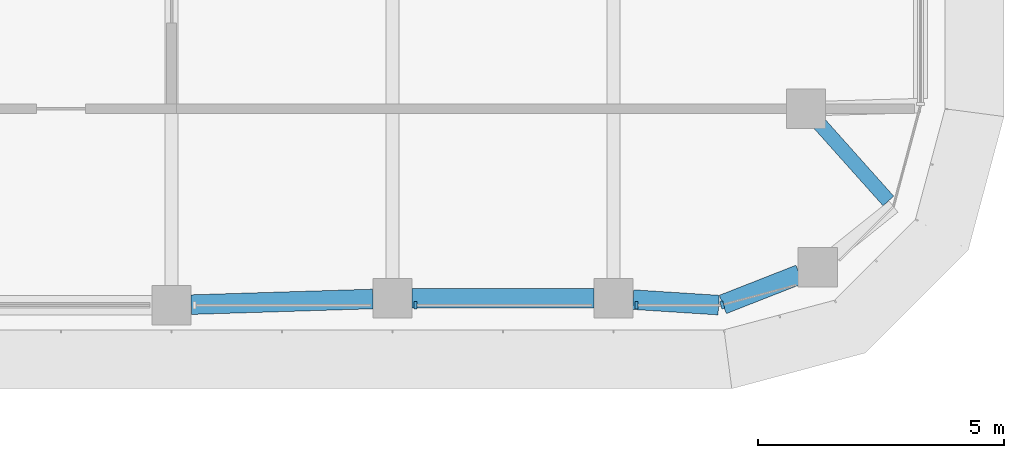
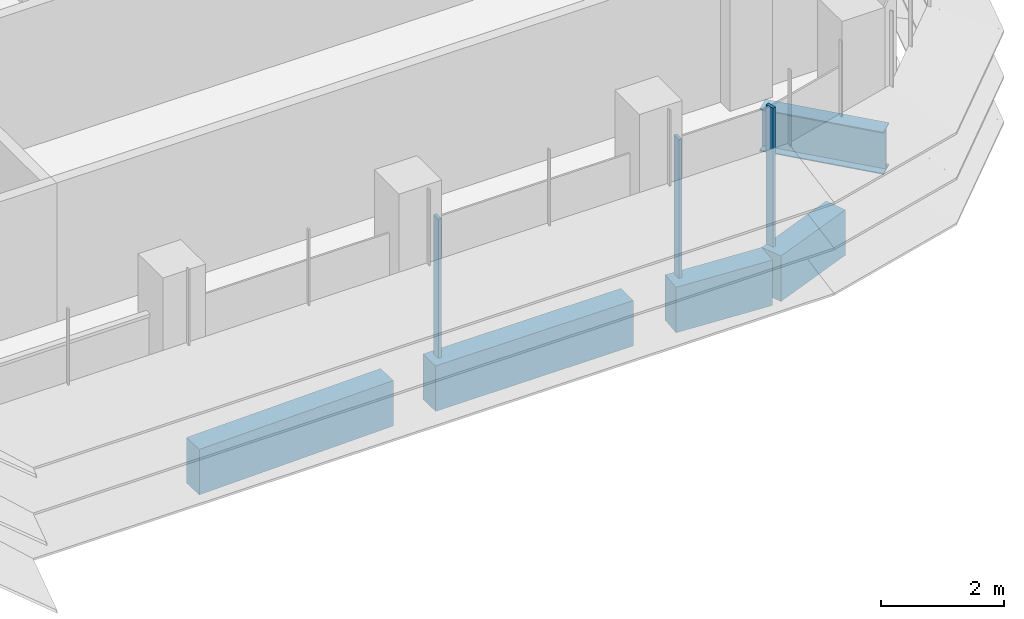
# One storey, part 5 of 19: 5 beams, 3 members, 2 elements without a shape of their own.
"""IFC4 building model written with IfcOpenShell, lengths in metres."""

from ifc_helpers import new_model, si_unit, direction, frame, origin, origin_2d, place, context, subcontext, project, spatial, polyline, rectangle, i_section, outline, extrude, source, transform, mapped, material, material_profile, profile_set, type_object, element, aggregate, save


model = new_model("IFC4")

# Units and contexts
model_context = context("Model", 3, precision=1e-05, world=origin(), true_north=direction((0.0, 1.0)))
body_context = subcontext(model_context, "Body", "Model", "MODEL_VIEW")
ifc_project = project(units=[si_unit("LENGTHUNIT", "METRE"), si_unit("AREAUNIT", "SQUARE_METRE"), si_unit("VOLUMEUNIT", "CUBIC_METRE"), si_unit("PLANEANGLEUNIT", "RADIAN"), si_unit("MASSUNIT", "GRAM", prefix="KILO")], contexts=[model_context])

# Site, building, storey
site_placement = place(None, origin())
site = spatial("IfcSite", under=ifc_project, at=site_placement, CompositionType="ELEMENT")
building_placement = place(site_placement, origin())
building = spatial("IfcBuilding", under=site, at=building_placement, Name="Zarbagh Exchange Tower", CompositionType="ELEMENT")
storey_placement = place(building_placement, frame((0.0, 0.0, 182.800048828125)))
storey = spatial("IfcBuildingStorey", under=building, at=storey_placement, Name="L44", CompositionType="ELEMENT", Elevation=182.800048828125)

# Beams
ifc_material_1 = material(Name="Steel ASTM A992 Gr 50", Category="steel")
ifc_material_profile_1 = material_profile(ifc_material_1, i_section(OverallWidth=0.2919921875, OverallDepth=0.835693359375, WebThickness=0.013916015625, FlangeThickness=0.018798828125, at=origin_2d()), Name="W33X118")
ifc_profile_set_1 = profile_set([ifc_material_profile_1], Name="Steel ASTM A992 Gr 50")
beam_type_1 = type_object("IfcBeamType", Name="Floor girder W33X118", PredefinedType="BEAM", material=ifc_profile_set_1)
beam_1_placement = place(storey_placement, frame((28.9365234375, -2.54833984375, -0.56787109375), z_axis=(0.666238158503, -0.745739040251, 0.0), x_axis=(0.745739040251, 0.666238158503, 0.0)))
element("IfcBeam", 1, at=beam_1_placement, inside=storey, type_object=beam_type_1, Name="Steel girder", PredefinedType="BEAM", context=body_context, shape_type="SweptSolid", body=[
    extrude(i_section(OverallWidth=0.2919921875, OverallDepth=0.835693359375, WebThickness=0.013916015625, FlangeThickness=0.018798828125, at=origin_2d()), origin(), (0.0, 0.0, 1.0), 2.115966796875),
])
ifc_material_2 = material(Name="Concrete C50/60", Category="concrete")
ifc_material_profile_2 = material_profile(ifc_material_2, rectangle(XDim=0.39990234375, YDim=0.89990234375, at=origin_2d()), Name="RC spandrel beam 400 x 900 C50/60")
ifc_profile_set_2 = profile_set([ifc_material_profile_2], Name="Concrete C50/60")
beam_type_2 = type_object("IfcBeamType", Name="RC spandrel beam 400 x 900 C50/60", PredefinedType="SPANDREL", material=ifc_profile_set_2)
beam_2_placement = place(storey_placement, frame((28.53564453125, -5.62109375, -0.60009765625), z_axis=(-0.930818758612, -0.36548110569, 0.0), x_axis=(0.36548110569, -0.930818758612, 0.0)))
element("IfcBeam", 2, at=beam_2_placement, inside=storey, type_object=beam_type_2, Name="RC spandrel beam", PredefinedType="SPANDREL", context=body_context, shape_type="SweptSolid", body=[
    extrude(rectangle(XDim=0.39990234375, YDim=0.89990234375, at=origin_2d()), origin(), (0.0, 0.0, 1.0), 1.676025390625),
])
beam_3_placement = place(storey_placement, frame((26.8896484375, -6.247314453125, -0.60009765625), z_axis=(-0.997942679773, 0.064112462805, 0.0), x_axis=(-0.064112462805, -0.997942679773, 0.0)))
element("IfcBeam", 3, at=beam_3_placement, inside=storey, type_object=beam_type_2, Name="RC spandrel beam", PredefinedType="SPANDREL", context=body_context, shape_type="SweptSolid", body=[
    extrude(rectangle(XDim=0.39990234375, YDim=0.89990234375, at=origin_2d()), origin(), (0.0, 0.0, 1.0), 1.744140625),
])
beam_4_placement = place(storey_placement, frame((24.35009765625, -6.110107421875, -0.60009765625), z_axis=(-1.0, 0.0, 0.0), x_axis=(0.0, -1.0, 0.0)))
element("IfcBeam", 4, at=beam_4_placement, inside=storey, type_object=beam_type_2, Name="RC spandrel beam", PredefinedType="SPANDREL", context=body_context, shape_type="SweptSolid", body=[
    extrude(rectangle(XDim=0.39990234375, YDim=0.89990234375, at=origin_2d()), origin(), (0.0, 0.0, 1.0), 3.7001953125),
])
beam_5_placement = place(storey_placement, frame((19.85009765625, -6.122314453125, -0.60009765625), z_axis=(-0.999515416033, -0.031127690444, 0.0), x_axis=(0.031127690444, -0.999515416033, 0.0)))
element("IfcBeam", 5, at=beam_5_placement, inside=storey, type_object=beam_type_2, Name="RC spandrel beam", PredefinedType="SPANDREL", context=body_context, shape_type="SweptSolid", body=[
    extrude(rectangle(XDim=0.39990234375, YDim=0.89990234375, at=origin_2d()), origin(), (0.0, 0.0, 1.0), 3.701904296875),
])

# Curtain wall, members
ifc_material_3 = material(Name="Anodised aluminium frame and glazing", Category="aluminium")
curtain_wall_type = type_object("IfcCurtainWallType", Name="CWB Ribbon glazing, upper zones", PredefinedType="NOTDEFINED", material=ifc_material_3)
curtain_wall_1_placement = place(storey_placement, origin())
curtain_wall_1 = element("IfcCurtainWall", 6, at=curtain_wall_1_placement, inside=storey, type_object=curtain_wall_type, Name="CWB08 curtain wall", PredefinedType="NOTDEFINED")
ifc_material_4 = material(Name="Anodised aluminium frame", Category="aluminium")
member_type = type_object("IfcMemberType", Name="MUB Mullion, anodised aluminium frame", PredefinedType="MULLION", material=ifc_material_4)
shared_shape = source(origin(), body_context, "Body", "SweptSolid", [
    extrude(outline(polyline([(0.0, -0.080078125), (0.06005859375, -0.080078125), (0.06005859375, 0.080078125), (0.0, 0.080078125), (0.0, -0.080078125)])), origin(), (0.0, 0.0, 1.0), 2.75),
])
placement = place(storey_placement, origin())
member_1 = element("IfcMember", 7, at=placement, type_object=member_type, Name="CWB08 mullion 3.1", PredefinedType="MULLION", context=body_context, shape_type="MappedRepresentation", body=[
    mapped(shared_shape, transform((20.68994140625, -6.25, 0.0), x_axis=(1.0, 0.0, 0.0), y_axis=(0.0, 1.0, 0.0), z_axis=(0.0, 0.0, 1.0))),
])
member_2 = element("IfcMember", 8, at=placement, type_object=member_type, Name="CWB08 mullion 4.1", PredefinedType="MULLION", context=body_context, shape_type="MappedRepresentation", body=[
    mapped(shared_shape, transform((25.18994140625, -6.25, 0.0), x_axis=(1.0, 0.0, 0.0), y_axis=(0.0, 1.0, 0.0), z_axis=(0.0, 0.0, 1.0))),
])
aggregate(curtain_wall_1, [member_1, member_2])

# Curtain wall, member
curtain_wall_2_placement = place(storey_placement, origin())
curtain_wall_2 = element("IfcCurtainWall", 9, at=curtain_wall_2_placement, inside=storey, type_object=curtain_wall_type, Name="CWB09 curtain wall", PredefinedType="NOTDEFINED")
member_3 = element("IfcMember", 10, at=placement, type_object=member_type, Name="CWB09 mullion 1.1", PredefinedType="MULLION", context=body_context, shape_type="MappedRepresentation", body=[
    mapped(shared_shape, transform((26.93408203125, -6.25, 0.0), x_axis=(0.965924289636, 0.258824779902, 0.0), y_axis=(-0.258824779902, 0.965924289636, 0.0), z_axis=(0.0, 0.0, 1.0))),
])
aggregate(curtain_wall_2, [member_3])

save(model, "model.ifc")
